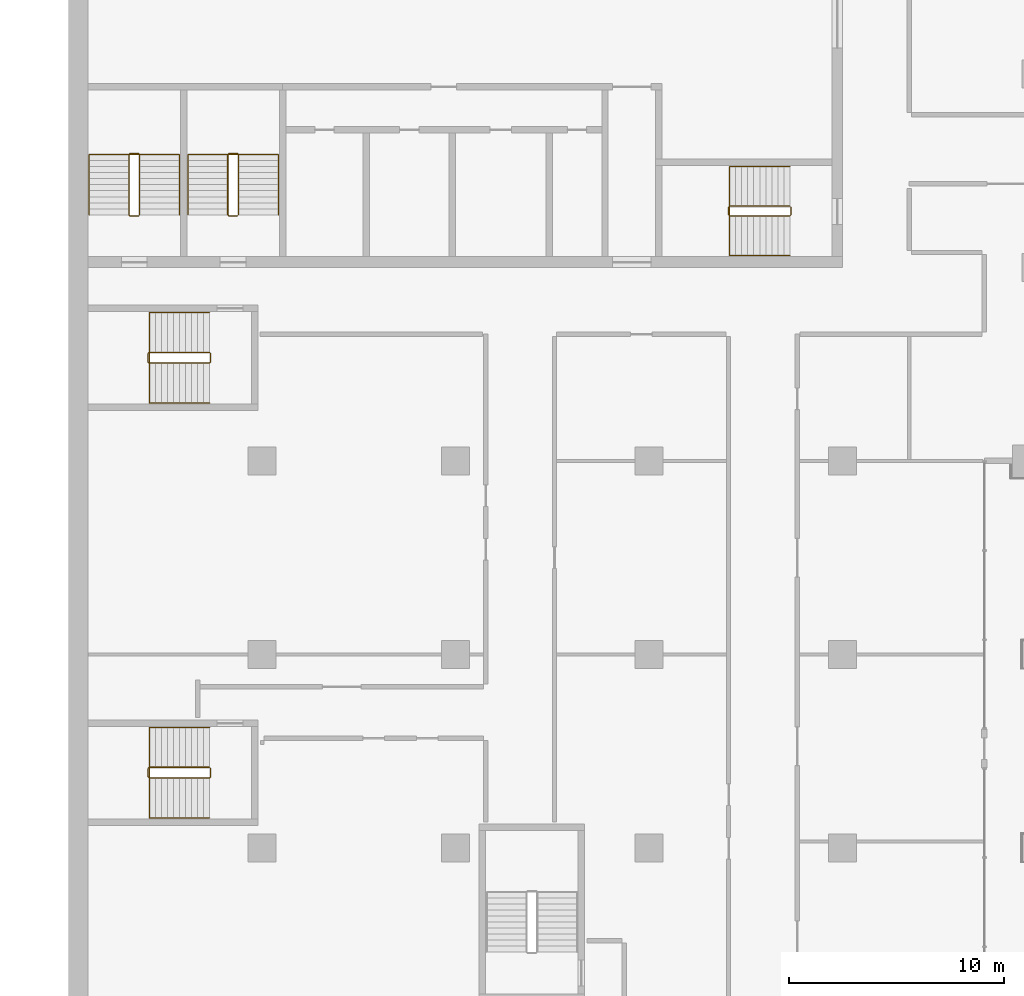
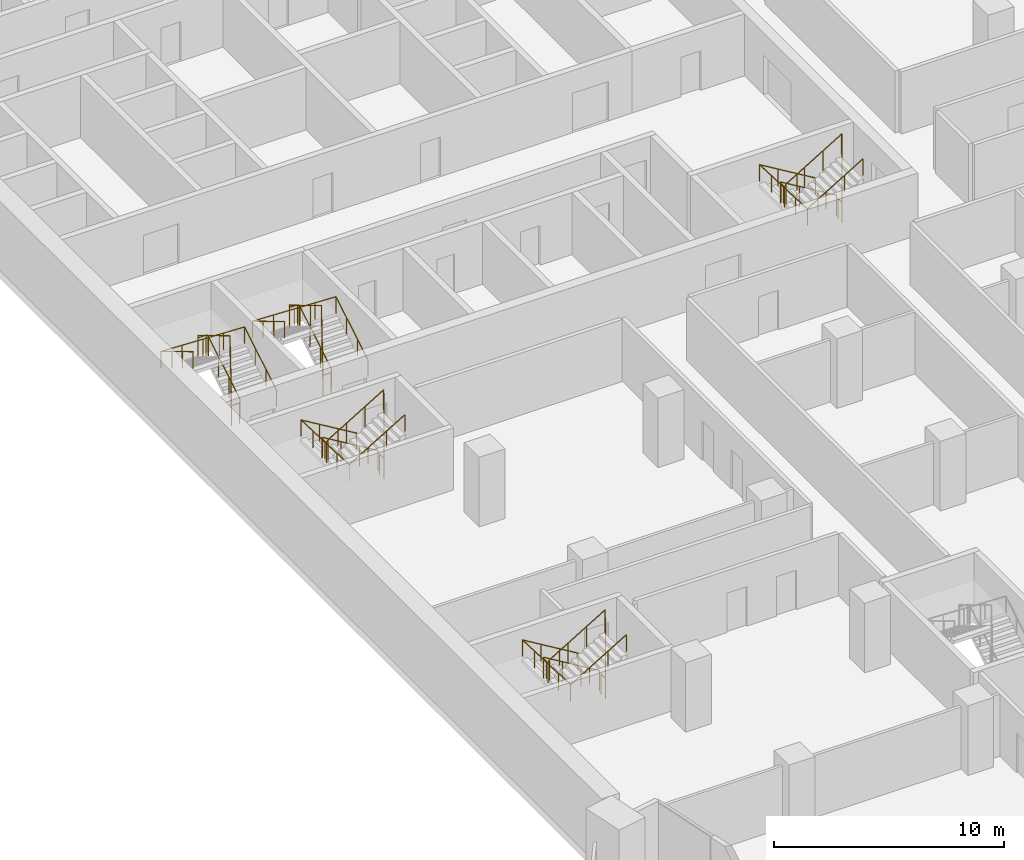
# One storey, part 20 of 22: 10 railings.
"""IFC4 building model written with IfcOpenShell, lengths in metres."""

from ifc_helpers import new_model, si_unit, direction, frame, origin, origin_2d, place, context, subcontext, project, spatial, circle, extrude, material, type_object, element, save


model = new_model("IFC4")

# Units and contexts
model_context = context("Model", 3, precision=1e-05, world=origin(), true_north=direction((0.0, 1.0)))
body_context = subcontext(model_context, "Body", "Model", "MODEL_VIEW")
ifc_project = project(units=[si_unit("LENGTHUNIT", "METRE"), si_unit("AREAUNIT", "SQUARE_METRE"), si_unit("VOLUMEUNIT", "CUBIC_METRE"), si_unit("PLANEANGLEUNIT", "RADIAN"), si_unit("MASSUNIT", "GRAM", prefix="KILO")], contexts=[model_context])

# Site, building, storey
site_placement = place(None, origin())
site = spatial("IfcSite", under=ifc_project, at=site_placement, CompositionType="ELEMENT")
building_placement = place(site_placement, origin())
building = spatial("IfcBuilding", under=site, at=building_placement, Name="Hunhe Ridgeline Campus", CompositionType="ELEMENT")
storey_placement = place(building_placement, frame((0.0, 0.0, 84.800048828125)))
storey = spatial("IfcBuildingStorey", under=building, at=storey_placement, Name="L20", CompositionType="ELEMENT", Elevation=84.800048828125)

# Railings
ifc_material_1 = material(Name="Stainless steel balustrade", Category="steel")
railing_type_1 = type_object("IfcRailingType", Name="Stair guard 1100 stainless", PredefinedType="GUARDRAIL", material=ifc_material_1)
railing_1_placement = place(storey_placement, frame((33.550048828125, 65.85009765625, 0.168212890625)))
element("IfcRailing", 1, at=railing_1_placement, inside=storey, type_object=railing_type_1, Name="L20 stair S2 guard", PredefinedType="GUARDRAIL", context=body_context, shape_type="SweptSolid", body=[
    extrude(circle(Radius=0.02392578125, at=origin_2d()), frame((0.0, 0.0, 1.076171875), z_axis=(-0.857275202839, 0.0, 0.514858452973), x_axis=(0.0, -1.0, 0.0)), (0.0, 0.0, 1.0), 3.26611328125),
    extrude(circle(Radius=0.02392578125, at=origin_2d()), frame((-2.800048828125, 0.0, 2.7578125), z_axis=(-0.707106781187, -0.707106781187, 0.0), x_axis=(0.707106781187, -0.707106781187, 0.0)), (0.0, 0.0, 1.0), 0.07080078125),
    extrude(circle(Radius=0.02392578125, at=origin_2d()), frame((-2.85009765625, -0.050048828125, 2.7578125), z_axis=(0.0, -1.0, 0.0), x_axis=(1.0, 0.0, 0.0)), (0.0, 0.0, 1.0), 0.35009765625),
    extrude(circle(Radius=0.02392578125, at=origin_2d()), frame((-2.85009765625, -0.400146484375, 2.7578125), z_axis=(0.274243871929, -0.274243871929, 0.92172696468), x_axis=(0.707106781187, 0.707106781187, 0.0)), (0.0, 0.0, 1.0), 0.1826171875),
    extrude(circle(Radius=0.02392578125, at=origin_2d()), frame((-2.800048828125, -0.4501953125, 2.92578125), z_axis=(0.857242210791, 0.0, 0.514913383045), x_axis=(0.0, 1.0, 0.0)), (0.0, 0.0, 1.0), 3.266357421875),
    extrude(circle(Radius=0.02392578125, at=origin_2d()), frame((0.0, -0.4501953125, 4.60791015625), z_axis=(0.013524414389, 0.013524414389, -0.999817073484), x_axis=(-0.707106781187, 0.707106781187, 0.0)), (0.0, 0.0, 1.0), 3.70068359375),
    extrude(circle(Radius=0.02392578125, at=origin_2d()), frame((0.050048828125, -0.400146484375, 0.90771484375), z_axis=(0.0, 1.0, 0.0), x_axis=(-1.0, 0.0, 0.0)), (0.0, 0.0, 1.0), 0.35009765625),
    extrude(circle(Radius=0.02099609375, at=origin_2d()), origin(), (0.0, 0.0, 1.0), 1.052001953125),
    extrude(circle(Radius=0.02099609375, at=origin_2d()), frame((-0.933349609375, 0.0, 0.560546875)), (0.0, 0.0, 1.0), 1.052001953125),
    extrude(circle(Radius=0.02099609375, at=origin_2d()), frame((-1.86669921875, 0.0, 1.12109375)), (0.0, 0.0, 1.0), 1.052001953125),
    extrude(circle(Radius=0.02099609375, at=origin_2d()), frame((-2.800048828125, 0.0, 1.681640625)), (0.0, 0.0, 1.0), 1.052001953125),
    extrude(circle(Radius=0.02099609375, at=origin_2d()), frame((-2.85009765625, -0.050048828125, 1.681640625)), (0.0, 0.0, 1.0), 1.052001953125),
    extrude(circle(Radius=0.02099609375, at=origin_2d()), frame((-2.85009765625, -0.400146484375, 1.681640625)), (0.0, 0.0, 1.0), 1.052001953125),
    extrude(circle(Radius=0.02099609375, at=origin_2d()), frame((-2.800048828125, -0.4501953125, 1.849853515625)), (0.0, 0.0, 1.0), 1.052001953125),
    extrude(circle(Radius=0.02099609375, at=origin_2d()), frame((-1.86669921875, -0.4501953125, 2.410400390625)), (0.0, 0.0, 1.0), 1.052001953125),
    extrude(circle(Radius=0.02099609375, at=origin_2d()), frame((-0.933349609375, -0.4501953125, 2.97119140625)), (0.0, 0.0, 1.0), 1.052001953125),
    extrude(circle(Radius=0.02099609375, at=origin_2d()), frame((0.0, -0.4501953125, 3.53173828125)), (0.0, 0.0, 1.0), 1.052001953125),
    extrude(circle(Radius=0.02099609375, at=origin_2d()), frame((0.012451171875, -0.437744140625, 2.606689453125)), (0.0, 0.0, 1.0), 1.052001953125),
    extrude(circle(Radius=0.02099609375, at=origin_2d()), frame((0.02490234375, -0.42529296875, 1.681640625)), (0.0, 0.0, 1.0), 1.052001953125),
    extrude(circle(Radius=0.02099609375, at=origin_2d()), frame((0.03759765625, -0.41259765625, 0.7568359375)), (0.0, 0.0, 1.0), 1.052001953125),
    extrude(circle(Radius=0.02099609375, at=origin_2d()), frame((0.050048828125, -0.400146484375, -0.168212890625)), (0.0, 0.0, 1.0), 1.052001953125),
    extrude(circle(Radius=0.02099609375, at=origin_2d()), frame((0.050048828125, -0.050048828125, -0.168212890625)), (0.0, 0.0, 1.0), 1.052001953125),
])
railing_2_placement = place(storey_placement, frame((3.300048828125, 65.449951171875, 0.168212890625)))
element("IfcRailing", 2, at=railing_2_placement, inside=storey, type_object=railing_type_1, Name="L20 stair S3 guard", PredefinedType="GUARDRAIL", context=body_context, shape_type="SweptSolid", body=[
    extrude(circle(Radius=0.02392578125, at=origin_2d()), frame((0.0, 0.0, 1.076171875), z_axis=(0.0, 0.857275202839, 0.514858452973), x_axis=(-1.0, 0.0, 0.0)), (0.0, 0.0, 1.0), 3.26611328125),
    extrude(circle(Radius=0.02392578125, at=origin_2d()), frame((0.0, 2.800048828125, 2.7578125), z_axis=(-0.707106781187, 0.707106781187, 0.0), x_axis=(-0.707106781187, -0.707106781187, 0.0)), (0.0, 0.0, 1.0), 0.07080078125),
    extrude(circle(Radius=0.02392578125, at=origin_2d()), frame((-0.050048828125, 2.85009765625, 2.7578125), z_axis=(-1.0, 0.0, 0.0), x_axis=(0.0, -1.0, 0.0)), (0.0, 0.0, 1.0), 0.39990234375),
    extrude(circle(Radius=0.02392578125, at=origin_2d()), frame((-0.449951171875, 2.85009765625, 2.7578125), z_axis=(-0.274243871929, -0.274243871929, 0.92172696468), x_axis=(0.707106781187, -0.707106781187, 0.0)), (0.0, 0.0, 1.0), 0.1826171875),
    extrude(circle(Radius=0.02392578125, at=origin_2d()), frame((-0.5, 2.800048828125, 2.92578125), z_axis=(0.0, -0.857242210791, 0.514913383045), x_axis=(1.0, 0.0, 0.0)), (0.0, 0.0, 1.0), 3.266357421875),
    extrude(circle(Radius=0.02392578125, at=origin_2d()), frame((-0.5, 0.0, 4.60791015625), z_axis=(0.013524414389, -0.013524414389, -0.999817073484), x_axis=(0.707106781187, 0.707106781187, 0.0)), (0.0, 0.0, 1.0), 3.70068359375),
    extrude(circle(Radius=0.02392578125, at=origin_2d()), frame((-0.449951171875, -0.050048828125, 0.90771484375), z_axis=(1.0, 0.0, 0.0), x_axis=(0.0, 1.0, 0.0)), (0.0, 0.0, 1.0), 0.39990234375),
    extrude(circle(Radius=0.02099609375, at=origin_2d()), origin(), (0.0, 0.0, 1.0), 1.052001953125),
    extrude(circle(Radius=0.02099609375, at=origin_2d()), frame((0.0, 0.933349609375, 0.560546875)), (0.0, 0.0, 1.0), 1.052001953125),
    extrude(circle(Radius=0.02099609375, at=origin_2d()), frame((0.0, 1.86669921875, 1.12109375)), (0.0, 0.0, 1.0), 1.052001953125),
    extrude(circle(Radius=0.02099609375, at=origin_2d()), frame((0.0, 2.800048828125, 1.681640625)), (0.0, 0.0, 1.0), 1.052001953125),
    extrude(circle(Radius=0.02099609375, at=origin_2d()), frame((-0.050048828125, 2.85009765625, 1.681640625)), (0.0, 0.0, 1.0), 1.052001953125),
    extrude(circle(Radius=0.02099609375, at=origin_2d()), frame((-0.449951171875, 2.85009765625, 1.681640625)), (0.0, 0.0, 1.0), 1.052001953125),
    extrude(circle(Radius=0.02099609375, at=origin_2d()), frame((-0.5, 2.800048828125, 1.849853515625)), (0.0, 0.0, 1.0), 1.052001953125),
    extrude(circle(Radius=0.02099609375, at=origin_2d()), frame((-0.5, 1.86669921875, 2.410400390625)), (0.0, 0.0, 1.0), 1.052001953125),
    extrude(circle(Radius=0.02099609375, at=origin_2d()), frame((-0.5, 0.933349609375, 2.97119140625)), (0.0, 0.0, 1.0), 1.052001953125),
    extrude(circle(Radius=0.02099609375, at=origin_2d()), frame((-0.5, 0.0, 3.53173828125)), (0.0, 0.0, 1.0), 1.052001953125),
    extrude(circle(Radius=0.02099609375, at=origin_2d()), frame((-0.487548828125, -0.012451171875, 2.606689453125)), (0.0, 0.0, 1.0), 1.052001953125),
    extrude(circle(Radius=0.02099609375, at=origin_2d()), frame((-0.47509765625, -0.02490234375, 1.681640625)), (0.0, 0.0, 1.0), 1.052001953125),
    extrude(circle(Radius=0.02099609375, at=origin_2d()), frame((-0.46240234375, -0.03759765625, 0.7568359375)), (0.0, 0.0, 1.0), 1.052001953125),
    extrude(circle(Radius=0.02099609375, at=origin_2d()), frame((-0.449951171875, -0.050048828125, -0.168212890625)), (0.0, 0.0, 1.0), 1.052001953125),
    extrude(circle(Radius=0.02099609375, at=origin_2d()), frame((-0.050048828125, -0.050048828125, -0.168212890625)), (0.0, 0.0, 1.0), 1.052001953125),
])
railing_3_placement = place(storey_placement, frame((7.89990234375, 65.449951171875, 0.168212890625)))
element("IfcRailing", 3, at=railing_3_placement, inside=storey, type_object=railing_type_1, Name="L20 stair S4 guard", PredefinedType="GUARDRAIL", context=body_context, shape_type="SweptSolid", body=[
    extrude(circle(Radius=0.02392578125, at=origin_2d()), frame((0.0, 0.0, 1.076171875), z_axis=(0.0, 0.857275202839, 0.514858452973), x_axis=(-1.0, 0.0, 0.0)), (0.0, 0.0, 1.0), 3.26611328125),
    extrude(circle(Radius=0.02392578125, at=origin_2d()), frame((0.0, 2.800048828125, 2.7578125), z_axis=(-0.705375805398, 0.708833529934, 0.0), x_axis=(-0.708833529934, -0.705375805398, 0.0)), (0.0, 0.0, 1.0), 0.070556640625),
    extrude(circle(Radius=0.02392578125, at=origin_2d()), frame((-0.0498046875, 2.85009765625, 2.7578125), z_axis=(-1.0, 0.0, 0.0), x_axis=(0.0, -1.0, 0.0)), (0.0, 0.0, 1.0), 0.400146484375),
    extrude(circle(Radius=0.02392578125, at=origin_2d()), frame((-0.449951171875, 2.85009765625, 2.7578125), z_axis=(-0.274243871929, -0.274243871929, 0.92172696468), x_axis=(0.707106781187, -0.707106781187, 0.0)), (0.0, 0.0, 1.0), 0.1826171875),
    extrude(circle(Radius=0.02392578125, at=origin_2d()), frame((-0.5, 2.800048828125, 2.92578125), z_axis=(0.0, -0.857242210791, 0.514913383045), x_axis=(1.0, 0.0, 0.0)), (0.0, 0.0, 1.0), 3.266357421875),
    extrude(circle(Radius=0.02392578125, at=origin_2d()), frame((-0.5, 0.0, 4.60791015625), z_axis=(0.013524414389, -0.013524414389, -0.999817073484), x_axis=(0.707106781187, 0.707106781187, 0.0)), (0.0, 0.0, 1.0), 3.70068359375),
    extrude(circle(Radius=0.02392578125, at=origin_2d()), frame((-0.449951171875, -0.050048828125, 0.90771484375), z_axis=(1.0, 0.0, 0.0), x_axis=(0.0, 1.0, 0.0)), (0.0, 0.0, 1.0), 0.400146484375),
    extrude(circle(Radius=0.02099609375, at=origin_2d()), origin(), (0.0, 0.0, 1.0), 1.052001953125),
    extrude(circle(Radius=0.02099609375, at=origin_2d()), frame((0.0, 0.933349609375, 0.560546875)), (0.0, 0.0, 1.0), 1.052001953125),
    extrude(circle(Radius=0.02099609375, at=origin_2d()), frame((0.0, 1.86669921875, 1.12109375)), (0.0, 0.0, 1.0), 1.052001953125),
    extrude(circle(Radius=0.02099609375, at=origin_2d()), frame((0.0, 2.800048828125, 1.681640625)), (0.0, 0.0, 1.0), 1.052001953125),
    extrude(circle(Radius=0.02099609375, at=origin_2d()), frame((-0.0498046875, 2.85009765625, 1.681640625)), (0.0, 0.0, 1.0), 1.052001953125),
    extrude(circle(Radius=0.02099609375, at=origin_2d()), frame((-0.449951171875, 2.85009765625, 1.681640625)), (0.0, 0.0, 1.0), 1.052001953125),
    extrude(circle(Radius=0.02099609375, at=origin_2d()), frame((-0.5, 2.800048828125, 1.849853515625)), (0.0, 0.0, 1.0), 1.052001953125),
    extrude(circle(Radius=0.02099609375, at=origin_2d()), frame((-0.5, 1.86669921875, 2.410400390625)), (0.0, 0.0, 1.0), 1.052001953125),
    extrude(circle(Radius=0.02099609375, at=origin_2d()), frame((-0.5, 0.933349609375, 2.97119140625)), (0.0, 0.0, 1.0), 1.052001953125),
    extrude(circle(Radius=0.02099609375, at=origin_2d()), frame((-0.5, 0.0, 3.53173828125)), (0.0, 0.0, 1.0), 1.052001953125),
    extrude(circle(Radius=0.02099609375, at=origin_2d()), frame((-0.487548828125, -0.012451171875, 2.606689453125)), (0.0, 0.0, 1.0), 1.052001953125),
    extrude(circle(Radius=0.02099609375, at=origin_2d()), frame((-0.47509765625, -0.02490234375, 1.681640625)), (0.0, 0.0, 1.0), 1.052001953125),
    extrude(circle(Radius=0.02099609375, at=origin_2d()), frame((-0.46240234375, -0.03759765625, 0.7568359375)), (0.0, 0.0, 1.0), 1.052001953125),
    extrude(circle(Radius=0.02099609375, at=origin_2d()), frame((-0.449951171875, -0.050048828125, -0.168212890625)), (0.0, 0.0, 1.0), 1.052001953125),
    extrude(circle(Radius=0.02099609375, at=origin_2d()), frame((-0.0498046875, -0.050048828125, -0.168212890625)), (0.0, 0.0, 1.0), 1.052001953125),
])
railing_4_placement = place(storey_placement, frame((6.550048828125, 39.75, 0.168212890625)))
element("IfcRailing", 4, at=railing_4_placement, inside=storey, type_object=railing_type_1, Name="L20 stair W1 guard", PredefinedType="GUARDRAIL", context=body_context, shape_type="SweptSolid", body=[
    extrude(circle(Radius=0.02392578125, at=origin_2d()), frame((0.0, 0.0, 1.076171875), z_axis=(-0.857275202839, 0.0, 0.514858452973), x_axis=(0.0, -1.0, 0.0)), (0.0, 0.0, 1.0), 3.26611328125),
    extrude(circle(Radius=0.02392578125, at=origin_2d()), frame((-2.800048828125, 0.0, 2.7578125), z_axis=(-0.707106781187, -0.707106781187, 0.0), x_axis=(0.707106781187, -0.707106781187, 0.0)), (0.0, 0.0, 1.0), 0.07080078125),
    extrude(circle(Radius=0.02392578125, at=origin_2d()), frame((-2.85009765625, -0.050048828125, 2.7578125), z_axis=(0.0, -1.0, 0.0), x_axis=(1.0, 0.0, 0.0)), (0.0, 0.0, 1.0), 0.39990234375),
    extrude(circle(Radius=0.02392578125, at=origin_2d()), frame((-2.85009765625, -0.449951171875, 2.7578125), z_axis=(0.274243871929, -0.274243871929, 0.92172696468), x_axis=(0.707106781187, 0.707106781187, 0.0)), (0.0, 0.0, 1.0), 0.1826171875),
    extrude(circle(Radius=0.02392578125, at=origin_2d()), frame((-2.800048828125, -0.5, 2.92578125), z_axis=(0.857242210791, 0.0, 0.514913383045), x_axis=(0.0, 1.0, 0.0)), (0.0, 0.0, 1.0), 3.266357421875),
    extrude(circle(Radius=0.02392578125, at=origin_2d()), frame((0.0, -0.5, 4.60791015625), z_axis=(0.013524414389, 0.013524414389, -0.999817073484), x_axis=(-0.707106781187, 0.707106781187, 0.0)), (0.0, 0.0, 1.0), 3.70068359375),
    extrude(circle(Radius=0.02392578125, at=origin_2d()), frame((0.050048828125, -0.449951171875, 0.90771484375), z_axis=(0.0, 1.0, 0.0), x_axis=(-1.0, 0.0, 0.0)), (0.0, 0.0, 1.0), 0.39990234375),
    extrude(circle(Radius=0.02099609375, at=origin_2d()), origin(), (0.0, 0.0, 1.0), 1.052001953125),
    extrude(circle(Radius=0.02099609375, at=origin_2d()), frame((-0.933349609375, 0.0, 0.560546875)), (0.0, 0.0, 1.0), 1.052001953125),
    extrude(circle(Radius=0.02099609375, at=origin_2d()), frame((-1.86669921875, 0.0, 1.12109375)), (0.0, 0.0, 1.0), 1.052001953125),
    extrude(circle(Radius=0.02099609375, at=origin_2d()), frame((-2.800048828125, 0.0, 1.681640625)), (0.0, 0.0, 1.0), 1.052001953125),
    extrude(circle(Radius=0.02099609375, at=origin_2d()), frame((-2.85009765625, -0.050048828125, 1.681640625)), (0.0, 0.0, 1.0), 1.052001953125),
    extrude(circle(Radius=0.02099609375, at=origin_2d()), frame((-2.85009765625, -0.449951171875, 1.681640625)), (0.0, 0.0, 1.0), 1.052001953125),
    extrude(circle(Radius=0.02099609375, at=origin_2d()), frame((-2.800048828125, -0.5, 1.849853515625)), (0.0, 0.0, 1.0), 1.052001953125),
    extrude(circle(Radius=0.02099609375, at=origin_2d()), frame((-1.86669921875, -0.5, 2.410400390625)), (0.0, 0.0, 1.0), 1.052001953125),
    extrude(circle(Radius=0.02099609375, at=origin_2d()), frame((-0.933349609375, -0.5, 2.97119140625)), (0.0, 0.0, 1.0), 1.052001953125),
    extrude(circle(Radius=0.02099609375, at=origin_2d()), frame((0.0, -0.5, 3.53173828125)), (0.0, 0.0, 1.0), 1.052001953125),
    extrude(circle(Radius=0.02099609375, at=origin_2d()), frame((0.012451171875, -0.487548828125, 2.606689453125)), (0.0, 0.0, 1.0), 1.052001953125),
    extrude(circle(Radius=0.02099609375, at=origin_2d()), frame((0.02490234375, -0.47509765625, 1.681640625)), (0.0, 0.0, 1.0), 1.052001953125),
    extrude(circle(Radius=0.02099609375, at=origin_2d()), frame((0.03759765625, -0.46240234375, 0.7568359375)), (0.0, 0.0, 1.0), 1.052001953125),
    extrude(circle(Radius=0.02099609375, at=origin_2d()), frame((0.050048828125, -0.449951171875, -0.168212890625)), (0.0, 0.0, 1.0), 1.052001953125),
    extrude(circle(Radius=0.02099609375, at=origin_2d()), frame((0.050048828125, -0.050048828125, -0.168212890625)), (0.0, 0.0, 1.0), 1.052001953125),
])
railing_5_placement = place(storey_placement, frame((6.550048828125, 59.050048828125, 0.168212890625)))
element("IfcRailing", 5, at=railing_5_placement, inside=storey, type_object=railing_type_1, Name="L20 stair W2 guard", PredefinedType="GUARDRAIL", context=body_context, shape_type="SweptSolid", body=[
    extrude(circle(Radius=0.02392578125, at=origin_2d()), frame((0.0, 0.0, 1.076171875), z_axis=(-0.857275202839, 0.0, 0.514858452973), x_axis=(0.0, -1.0, 0.0)), (0.0, 0.0, 1.0), 3.26611328125),
    extrude(circle(Radius=0.02392578125, at=origin_2d()), frame((-2.800048828125, 0.0, 2.7578125), z_axis=(-0.707106781187, -0.707106781187, 0.0), x_axis=(0.707106781187, -0.707106781187, 0.0)), (0.0, 0.0, 1.0), 0.07080078125),
    extrude(circle(Radius=0.02392578125, at=origin_2d()), frame((-2.85009765625, -0.050048828125, 2.7578125), z_axis=(0.0, -1.0, 0.0), x_axis=(1.0, 0.0, 0.0)), (0.0, 0.0, 1.0), 0.39990234375),
    extrude(circle(Radius=0.02392578125, at=origin_2d()), frame((-2.85009765625, -0.449951171875, 2.7578125), z_axis=(0.274243871929, -0.274243871929, 0.92172696468), x_axis=(0.707106781187, 0.707106781187, 0.0)), (0.0, 0.0, 1.0), 0.1826171875),
    extrude(circle(Radius=0.02392578125, at=origin_2d()), frame((-2.800048828125, -0.5, 2.92578125), z_axis=(0.857242210791, 0.0, 0.514913383045), x_axis=(0.0, 1.0, 0.0)), (0.0, 0.0, 1.0), 3.266357421875),
    extrude(circle(Radius=0.02392578125, at=origin_2d()), frame((0.0, -0.5, 4.60791015625), z_axis=(0.013524414389, 0.013524414389, -0.999817073484), x_axis=(-0.707106781187, 0.707106781187, 0.0)), (0.0, 0.0, 1.0), 3.70068359375),
    extrude(circle(Radius=0.02392578125, at=origin_2d()), frame((0.050048828125, -0.449951171875, 0.90771484375), z_axis=(0.0, 1.0, 0.0), x_axis=(-1.0, 0.0, 0.0)), (0.0, 0.0, 1.0), 0.39990234375),
    extrude(circle(Radius=0.02099609375, at=origin_2d()), origin(), (0.0, 0.0, 1.0), 1.052001953125),
    extrude(circle(Radius=0.02099609375, at=origin_2d()), frame((-0.933349609375, 0.0, 0.560546875)), (0.0, 0.0, 1.0), 1.052001953125),
    extrude(circle(Radius=0.02099609375, at=origin_2d()), frame((-1.86669921875, 0.0, 1.12109375)), (0.0, 0.0, 1.0), 1.052001953125),
    extrude(circle(Radius=0.02099609375, at=origin_2d()), frame((-2.800048828125, 0.0, 1.681640625)), (0.0, 0.0, 1.0), 1.052001953125),
    extrude(circle(Radius=0.02099609375, at=origin_2d()), frame((-2.85009765625, -0.050048828125, 1.681640625)), (0.0, 0.0, 1.0), 1.052001953125),
    extrude(circle(Radius=0.02099609375, at=origin_2d()), frame((-2.85009765625, -0.449951171875, 1.681640625)), (0.0, 0.0, 1.0), 1.052001953125),
    extrude(circle(Radius=0.02099609375, at=origin_2d()), frame((-2.800048828125, -0.5, 1.849853515625)), (0.0, 0.0, 1.0), 1.052001953125),
    extrude(circle(Radius=0.02099609375, at=origin_2d()), frame((-1.86669921875, -0.5, 2.410400390625)), (0.0, 0.0, 1.0), 1.052001953125),
    extrude(circle(Radius=0.02099609375, at=origin_2d()), frame((-0.933349609375, -0.5, 2.97119140625)), (0.0, 0.0, 1.0), 1.052001953125),
    extrude(circle(Radius=0.02099609375, at=origin_2d()), frame((0.0, -0.5, 3.53173828125)), (0.0, 0.0, 1.0), 1.052001953125),
    extrude(circle(Radius=0.02099609375, at=origin_2d()), frame((0.012451171875, -0.487548828125, 2.606689453125)), (0.0, 0.0, 1.0), 1.052001953125),
    extrude(circle(Radius=0.02099609375, at=origin_2d()), frame((0.02490234375, -0.47509765625, 1.681640625)), (0.0, 0.0, 1.0), 1.052001953125),
    extrude(circle(Radius=0.02099609375, at=origin_2d()), frame((0.03759765625, -0.46240234375, 0.7568359375)), (0.0, 0.0, 1.0), 1.052001953125),
    extrude(circle(Radius=0.02099609375, at=origin_2d()), frame((0.050048828125, -0.449951171875, -0.168212890625)), (0.0, 0.0, 1.0), 1.052001953125),
    extrude(circle(Radius=0.02099609375, at=origin_2d()), frame((0.050048828125, -0.050048828125, -0.168212890625)), (0.0, 0.0, 1.0), 1.052001953125),
])
ifc_material_2 = material(Name="Stainless steel handrail", Category="steel")
railing_type_2 = type_object("IfcRailingType", Name="Stair handrail 900 stainless", PredefinedType="HANDRAIL", material=ifc_material_2)
railing_6_placement = place(storey_placement, frame((33.550048828125, 67.699951171875, 0.168212890625)))
element("IfcRailing", 6, at=railing_6_placement, inside=storey, type_object=railing_type_2, Name="L20 stair S2 handrail", PredefinedType="HANDRAIL", context=body_context, shape_type="SweptSolid", body=[
    extrude(circle(Radius=0.02392578125, at=origin_2d()), frame((0.0, 0.0, 0.8759765625), z_axis=(-0.857275202839, 0.0, 0.514858452973), x_axis=(0.0, -1.0, 0.0)), (0.0, 0.0, 1.0), 3.26611328125),
    extrude(circle(Radius=0.02392578125, at=origin_2d()), frame((-2.800048828125, 0.0, 2.5576171875), z_axis=(0.0, -0.99917950104, 0.040500922239), x_axis=(1.0, 0.0, 0.0)), (0.0, 0.0, 1.0), 4.1533203125),
    extrude(circle(Radius=0.02392578125, at=origin_2d()), frame((-2.800048828125, -4.14990234375, 2.7255859375), z_axis=(0.857242210791, 0.0, 0.514913383045), x_axis=(0.0, 1.0, 0.0)), (0.0, 0.0, 1.0), 3.266357421875),
    extrude(circle(Radius=0.02099609375, at=origin_2d()), origin(), (0.0, 0.0, 1.0), 0.851806640625),
    extrude(circle(Radius=0.02099609375, at=origin_2d()), frame((-0.933349609375, 0.0, 0.560546875)), (0.0, 0.0, 1.0), 0.851806640625),
    extrude(circle(Radius=0.02099609375, at=origin_2d()), frame((-1.86669921875, 0.0, 1.12109375)), (0.0, 0.0, 1.0), 0.851806640625),
    extrude(circle(Radius=0.02099609375, at=origin_2d()), frame((-2.800048828125, 0.0, 1.681640625)), (0.0, 0.0, 1.0), 0.851806640625),
    extrude(circle(Radius=0.02099609375, at=origin_2d()), frame((-2.800048828125, -1.03759765625, 1.7236328125)), (0.0, 0.0, 1.0), 0.851806640625),
    extrude(circle(Radius=0.02099609375, at=origin_2d()), frame((-2.800048828125, -2.074951171875, 1.765625)), (0.0, 0.0, 1.0), 0.851806640625),
    extrude(circle(Radius=0.02099609375, at=origin_2d()), frame((-2.800048828125, -3.1123046875, 1.807861328125)), (0.0, 0.0, 1.0), 0.851806640625),
    extrude(circle(Radius=0.02099609375, at=origin_2d()), frame((-2.800048828125, -4.14990234375, 1.849853515625)), (0.0, 0.0, 1.0), 0.851806640625),
    extrude(circle(Radius=0.02099609375, at=origin_2d()), frame((-1.86669921875, -4.14990234375, 2.410400390625)), (0.0, 0.0, 1.0), 0.851806640625),
    extrude(circle(Radius=0.02099609375, at=origin_2d()), frame((-0.933349609375, -4.14990234375, 2.97119140625)), (0.0, 0.0, 1.0), 0.851806640625),
    extrude(circle(Radius=0.02099609375, at=origin_2d()), frame((0.0, -4.14990234375, 3.53173828125)), (0.0, 0.0, 1.0), 0.851806640625),
])
railing_7_placement = place(storey_placement, frame((5.14990234375, 65.449951171875, 0.168212890625)))
element("IfcRailing", 7, at=railing_7_placement, inside=storey, type_object=railing_type_2, Name="L20 stair S3 handrail", PredefinedType="HANDRAIL", context=body_context, shape_type="SweptSolid", body=[
    extrude(circle(Radius=0.02392578125, at=origin_2d()), frame((0.0, 0.0, 0.8759765625), z_axis=(0.0, 0.857275202839, 0.514858452973), x_axis=(-1.0, 0.0, 0.0)), (0.0, 0.0, 1.0), 3.26611328125),
    extrude(circle(Radius=0.02392578125, at=origin_2d()), frame((0.0, 2.800048828125, 2.5576171875), z_axis=(-0.999198916169, 0.0, 0.040019069537), x_axis=(0.0, -1.0, 0.0)), (0.0, 0.0, 1.0), 4.203369140625),
    extrude(circle(Radius=0.02392578125, at=origin_2d()), frame((-4.199951171875, 2.800048828125, 2.7255859375), z_axis=(0.0, -0.857242210791, 0.514913383045), x_axis=(1.0, 0.0, 0.0)), (0.0, 0.0, 1.0), 3.266357421875),
    extrude(circle(Radius=0.02099609375, at=origin_2d()), origin(), (0.0, 0.0, 1.0), 0.851806640625),
    extrude(circle(Radius=0.02099609375, at=origin_2d()), frame((0.0, 0.933349609375, 0.560546875)), (0.0, 0.0, 1.0), 0.851806640625),
    extrude(circle(Radius=0.02099609375, at=origin_2d()), frame((0.0, 1.86669921875, 1.12109375)), (0.0, 0.0, 1.0), 0.851806640625),
    extrude(circle(Radius=0.02099609375, at=origin_2d()), frame((0.0, 2.800048828125, 1.681640625)), (0.0, 0.0, 1.0), 0.851806640625),
    extrude(circle(Radius=0.02099609375, at=origin_2d()), frame((-1.050048828125, 2.800048828125, 1.7236328125)), (0.0, 0.0, 1.0), 0.851806640625),
    extrude(circle(Radius=0.02099609375, at=origin_2d()), frame((-2.10009765625, 2.800048828125, 1.765625)), (0.0, 0.0, 1.0), 0.851806640625),
    extrude(circle(Radius=0.02099609375, at=origin_2d()), frame((-3.14990234375, 2.800048828125, 1.807861328125)), (0.0, 0.0, 1.0), 0.851806640625),
    extrude(circle(Radius=0.02099609375, at=origin_2d()), frame((-4.199951171875, 2.800048828125, 1.849853515625)), (0.0, 0.0, 1.0), 0.851806640625),
    extrude(circle(Radius=0.02099609375, at=origin_2d()), frame((-4.199951171875, 1.86669921875, 2.410400390625)), (0.0, 0.0, 1.0), 0.851806640625),
    extrude(circle(Radius=0.02099609375, at=origin_2d()), frame((-4.199951171875, 0.933349609375, 2.97119140625)), (0.0, 0.0, 1.0), 0.851806640625),
    extrude(circle(Radius=0.02099609375, at=origin_2d()), frame((-4.199951171875, 0.0, 3.53173828125)), (0.0, 0.0, 1.0), 0.851806640625),
])
railing_8_placement = place(storey_placement, frame((9.75, 65.449951171875, 0.168212890625)))
element("IfcRailing", 8, at=railing_8_placement, inside=storey, type_object=railing_type_2, Name="L20 stair S4 handrail", PredefinedType="HANDRAIL", context=body_context, shape_type="SweptSolid", body=[
    extrude(circle(Radius=0.02392578125, at=origin_2d()), frame((0.0, 0.0, 0.8759765625), z_axis=(0.0, 0.857275202839, 0.514858452973), x_axis=(-1.0, 0.0, 0.0)), (0.0, 0.0, 1.0), 3.26611328125),
    extrude(circle(Radius=0.02392578125, at=origin_2d()), frame((0.0, 2.800048828125, 2.5576171875), z_axis=(-0.999198916169, 0.0, 0.040019069537), x_axis=(0.0, -1.0, 0.0)), (0.0, 0.0, 1.0), 4.203369140625),
    extrude(circle(Radius=0.02392578125, at=origin_2d()), frame((-4.199951171875, 2.800048828125, 2.7255859375), z_axis=(0.0, -0.857242210791, 0.514913383045), x_axis=(1.0, 0.0, 0.0)), (0.0, 0.0, 1.0), 3.266357421875),
    extrude(circle(Radius=0.02099609375, at=origin_2d()), origin(), (0.0, 0.0, 1.0), 0.851806640625),
    extrude(circle(Radius=0.02099609375, at=origin_2d()), frame((0.0, 0.933349609375, 0.560546875)), (0.0, 0.0, 1.0), 0.851806640625),
    extrude(circle(Radius=0.02099609375, at=origin_2d()), frame((0.0, 1.86669921875, 1.12109375)), (0.0, 0.0, 1.0), 0.851806640625),
    extrude(circle(Radius=0.02099609375, at=origin_2d()), frame((0.0, 2.800048828125, 1.681640625)), (0.0, 0.0, 1.0), 0.851806640625),
    extrude(circle(Radius=0.02099609375, at=origin_2d()), frame((-1.050048828125, 2.800048828125, 1.7236328125)), (0.0, 0.0, 1.0), 0.851806640625),
    extrude(circle(Radius=0.02099609375, at=origin_2d()), frame((-2.10009765625, 2.800048828125, 1.765625)), (0.0, 0.0, 1.0), 0.851806640625),
    extrude(circle(Radius=0.02099609375, at=origin_2d()), frame((-3.14990234375, 2.800048828125, 1.807861328125)), (0.0, 0.0, 1.0), 0.851806640625),
    extrude(circle(Radius=0.02099609375, at=origin_2d()), frame((-4.199951171875, 2.800048828125, 1.849853515625)), (0.0, 0.0, 1.0), 0.851806640625),
    extrude(circle(Radius=0.02099609375, at=origin_2d()), frame((-4.199951171875, 1.86669921875, 2.410400390625)), (0.0, 0.0, 1.0), 0.851806640625),
    extrude(circle(Radius=0.02099609375, at=origin_2d()), frame((-4.199951171875, 0.933349609375, 2.97119140625)), (0.0, 0.0, 1.0), 0.851806640625),
    extrude(circle(Radius=0.02099609375, at=origin_2d()), frame((-4.199951171875, 0.0, 3.53173828125)), (0.0, 0.0, 1.0), 0.851806640625),
])
railing_9_placement = place(storey_placement, frame((6.550048828125, 41.60009765625, 0.168212890625)))
element("IfcRailing", 9, at=railing_9_placement, inside=storey, type_object=railing_type_2, Name="L20 stair W1 handrail", PredefinedType="HANDRAIL", context=body_context, shape_type="SweptSolid", body=[
    extrude(circle(Radius=0.02392578125, at=origin_2d()), frame((0.0, 0.0, 0.8759765625), z_axis=(-0.857275202839, 0.0, 0.514858452973), x_axis=(0.0, -1.0, 0.0)), (0.0, 0.0, 1.0), 3.26611328125),
    extrude(circle(Radius=0.02392578125, at=origin_2d()), frame((-2.800048828125, 0.0, 2.5576171875), z_axis=(0.0, -0.999199009182, 0.040016747113), x_axis=(1.0, 0.0, 0.0)), (0.0, 0.0, 1.0), 4.20361328125),
    extrude(circle(Radius=0.02392578125, at=origin_2d()), frame((-2.800048828125, -4.2001953125, 2.7255859375), z_axis=(0.857242210791, 0.0, 0.514913383045), x_axis=(0.0, 1.0, 0.0)), (0.0, 0.0, 1.0), 3.266357421875),
    extrude(circle(Radius=0.02099609375, at=origin_2d()), origin(), (0.0, 0.0, 1.0), 0.851806640625),
    extrude(circle(Radius=0.02099609375, at=origin_2d()), frame((-0.933349609375, 0.0, 0.560546875)), (0.0, 0.0, 1.0), 0.851806640625),
    extrude(circle(Radius=0.02099609375, at=origin_2d()), frame((-1.86669921875, 0.0, 1.12109375)), (0.0, 0.0, 1.0), 0.851806640625),
    extrude(circle(Radius=0.02099609375, at=origin_2d()), frame((-2.800048828125, 0.0, 1.681640625)), (0.0, 0.0, 1.0), 0.851806640625),
    extrude(circle(Radius=0.02099609375, at=origin_2d()), frame((-2.800048828125, -1.050048828125, 1.7236328125)), (0.0, 0.0, 1.0), 0.851806640625),
    extrude(circle(Radius=0.02099609375, at=origin_2d()), frame((-2.800048828125, -2.10009765625, 1.765625)), (0.0, 0.0, 1.0), 0.851806640625),
    extrude(circle(Radius=0.02099609375, at=origin_2d()), frame((-2.800048828125, -3.150146484375, 1.807861328125)), (0.0, 0.0, 1.0), 0.851806640625),
    extrude(circle(Radius=0.02099609375, at=origin_2d()), frame((-2.800048828125, -4.2001953125, 1.849853515625)), (0.0, 0.0, 1.0), 0.851806640625),
    extrude(circle(Radius=0.02099609375, at=origin_2d()), frame((-1.86669921875, -4.2001953125, 2.410400390625)), (0.0, 0.0, 1.0), 0.851806640625),
    extrude(circle(Radius=0.02099609375, at=origin_2d()), frame((-0.933349609375, -4.2001953125, 2.97119140625)), (0.0, 0.0, 1.0), 0.851806640625),
    extrude(circle(Radius=0.02099609375, at=origin_2d()), frame((0.0, -4.2001953125, 3.53173828125)), (0.0, 0.0, 1.0), 0.851806640625),
])
railing_10_placement = place(storey_placement, frame((6.550048828125, 60.89990234375, 0.168212890625)))
element("IfcRailing", 10, at=railing_10_placement, inside=storey, type_object=railing_type_2, Name="L20 stair W2 handrail", PredefinedType="HANDRAIL", context=body_context, shape_type="SweptSolid", body=[
    extrude(circle(Radius=0.02392578125, at=origin_2d()), frame((0.0, 0.0, 0.8759765625), z_axis=(-0.857275202839, 0.0, 0.514858452973), x_axis=(0.0, -1.0, 0.0)), (0.0, 0.0, 1.0), 3.26611328125),
    extrude(circle(Radius=0.02392578125, at=origin_2d()), frame((-2.800048828125, 0.0, 2.5576171875), z_axis=(0.0, -0.999198916169, 0.040019069537), x_axis=(1.0, 0.0, 0.0)), (0.0, 0.0, 1.0), 4.203369140625),
    extrude(circle(Radius=0.02392578125, at=origin_2d()), frame((-2.800048828125, -4.199951171875, 2.7255859375), z_axis=(0.857242210791, 0.0, 0.514913383045), x_axis=(0.0, 1.0, 0.0)), (0.0, 0.0, 1.0), 3.266357421875),
    extrude(circle(Radius=0.02099609375, at=origin_2d()), origin(), (0.0, 0.0, 1.0), 0.851806640625),
    extrude(circle(Radius=0.02099609375, at=origin_2d()), frame((-0.933349609375, 0.0, 0.560546875)), (0.0, 0.0, 1.0), 0.851806640625),
    extrude(circle(Radius=0.02099609375, at=origin_2d()), frame((-1.86669921875, 0.0, 1.12109375)), (0.0, 0.0, 1.0), 0.851806640625),
    extrude(circle(Radius=0.02099609375, at=origin_2d()), frame((-2.800048828125, 0.0, 1.681640625)), (0.0, 0.0, 1.0), 0.851806640625),
    extrude(circle(Radius=0.02099609375, at=origin_2d()), frame((-2.800048828125, -1.050048828125, 1.7236328125)), (0.0, 0.0, 1.0), 0.851806640625),
    extrude(circle(Radius=0.02099609375, at=origin_2d()), frame((-2.800048828125, -2.10009765625, 1.765625)), (0.0, 0.0, 1.0), 0.851806640625),
    extrude(circle(Radius=0.02099609375, at=origin_2d()), frame((-2.800048828125, -3.14990234375, 1.807861328125)), (0.0, 0.0, 1.0), 0.851806640625),
    extrude(circle(Radius=0.02099609375, at=origin_2d()), frame((-2.800048828125, -4.199951171875, 1.849853515625)), (0.0, 0.0, 1.0), 0.851806640625),
    extrude(circle(Radius=0.02099609375, at=origin_2d()), frame((-1.86669921875, -4.199951171875, 2.410400390625)), (0.0, 0.0, 1.0), 0.851806640625),
    extrude(circle(Radius=0.02099609375, at=origin_2d()), frame((-0.933349609375, -4.199951171875, 2.97119140625)), (0.0, 0.0, 1.0), 0.851806640625),
    extrude(circle(Radius=0.02099609375, at=origin_2d()), frame((0.0, -4.199951171875, 3.53173828125)), (0.0, 0.0, 1.0), 0.851806640625),
])

save(model, "model.ifc")
